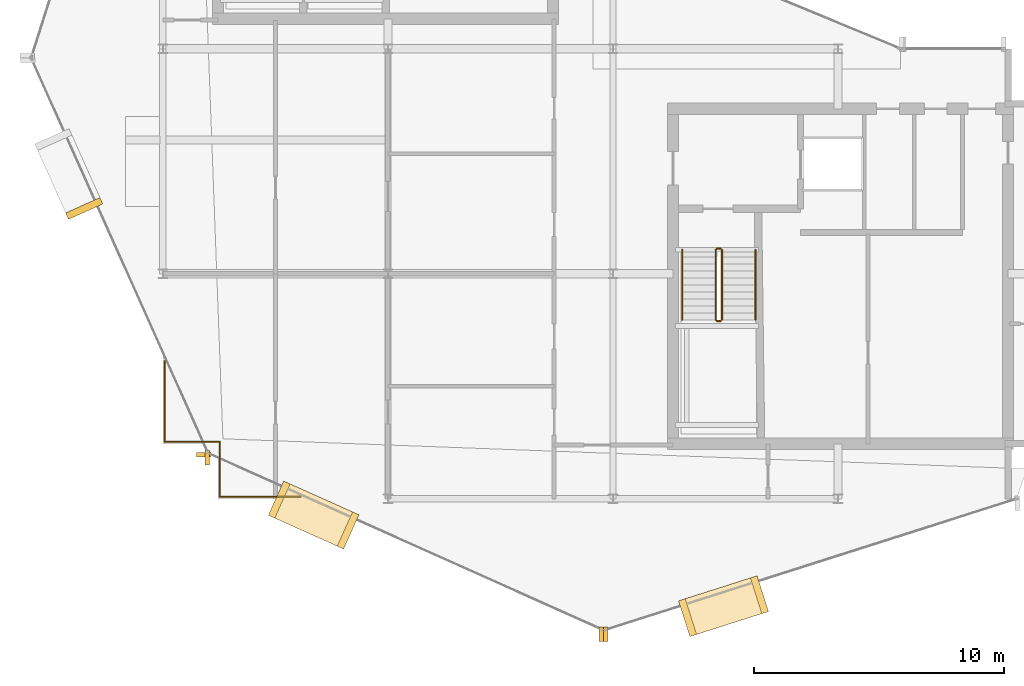
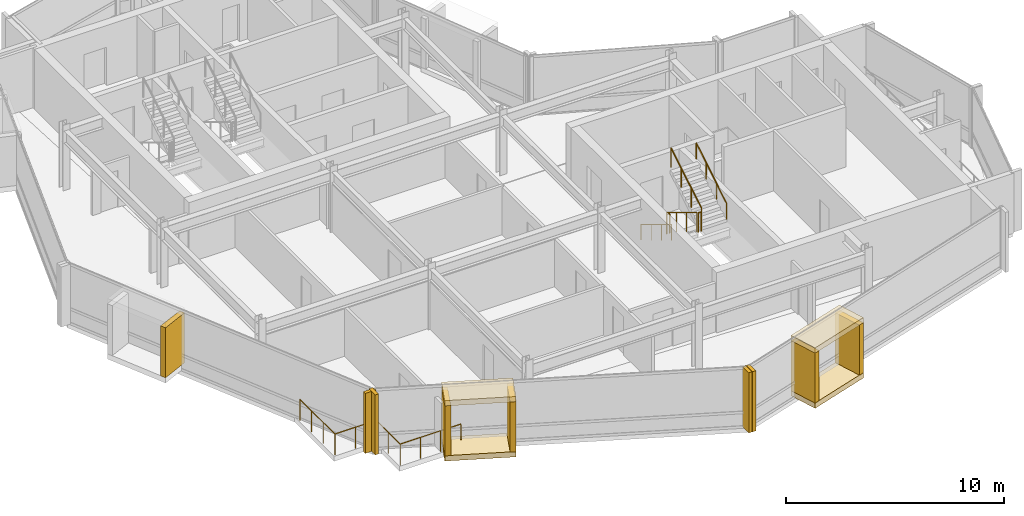
# One storey, part 16 of 19: 13 coverings, 10 railings.
"""IFC4 building model written with IfcOpenShell, lengths in metres."""

from ifc_helpers import new_model, si_unit, direction, frame, origin, origin_2d, place, context, subcontext, project, spatial, rectangle, circle, extrude, material, layer, layer_set, type_object, element, save


model = new_model("IFC4")

# Units and contexts
model_context = context("Model", 3, precision=1e-05, world=origin(), true_north=direction((0.0, 1.0)))
body_context = subcontext(model_context, "Body", "Model", "MODEL_VIEW")
ifc_project = project(units=[si_unit("LENGTHUNIT", "METRE"), si_unit("AREAUNIT", "SQUARE_METRE"), si_unit("VOLUMEUNIT", "CUBIC_METRE"), si_unit("PLANEANGLEUNIT", "RADIAN"), si_unit("MASSUNIT", "GRAM", prefix="KILO")], contexts=[model_context])

# Site, building, storey
site_placement = place(None, origin())
site = spatial("IfcSite", under=ifc_project, at=site_placement, CompositionType="ELEMENT")
building_placement = place(site_placement, origin())
building = spatial("IfcBuilding", under=site, at=building_placement, Name="Solvaryn Broadcast Tower", CompositionType="ELEMENT")
storey_placement = place(building_placement, frame((0.0, 0.0, 293.699951171875)))
storey = spatial("IfcBuildingStorey", under=building, at=storey_placement, Name="L74", CompositionType="ELEMENT", Elevation=293.699951171875)

# Coverings
ifc_material_1 = material(Name="Glazed Architectural Terracotta Rainscreen Cladding", Category="masonry")
ifc_layer_1 = layer(ifc_material_1, 0.280029296875)
ifc_layer_set_1 = layer_set([ifc_layer_1], Name="CV-TC-CLAD")
covering_type_1 = type_object("IfcCoveringType", Name="CV-TC-CLAD", PredefinedType="CLADDING", material=ifc_layer_set_1)
covering_1_placement = place(storey_placement, frame((5.852783203125, 20.61181640625, 0.280029296875), z_axis=(0.0, 0.0, 1.0), x_axis=(0.408489773781, -0.91276289622, 0.0)))
element("IfcCovering", 1, at=covering_1_placement, inside=storey, type_object=covering_type_1, Name="L74 Projecting Stone Window Box Cheek 2-2", PredefinedType="CLADDING", context=body_context, shape_type="SweptSolid", body=[
    extrude(rectangle(XDim=0.280029296875, YDim=1.5, at=origin_2d()), origin(), (0.0, 0.0, 1.0), 2.81005859375),
])
for number, where, z_axis, x_axis, name in (
    (2, (15.030029296875, 8.35107421875, 3.080078125), (0.0, 0.0, 1.0), (0.91276289622, -0.408489773781, 0.0), "L74 Projecting Stone Window Box Hood 3"),
    (3, (15.030029296875, 8.35107421875, -0.009765625), (0.0, 0.0, 1.0), (0.91276289622, -0.408489773781, 0.0), "L74 Projecting Stone Window Box Sill 3"),
):
    element("IfcCovering", number, at=place(storey_placement, frame(where, z_axis=z_axis, x_axis=x_axis)), inside=storey, type_object=covering_type_1, Name=name, PredefinedType="CLADDING", context=body_context, shape_type="SweptSolid", body=[
        extrude(rectangle(XDim=3.300048828125, YDim=1.5, at=origin_2d()), origin(), (0.0, 0.0, 1.0), 0.300048828125),
    ])
for number, where, z_axis, x_axis, name in (
    (4, (13.651611328125, 8.9677734375, 0.280029296875), (0.0, 0.0, 1.0), (0.91276289622, -0.408489773781, 0.0), "L74 Projecting Stone Window Box Cheek 3-1"),
    (5, (16.408203125, 7.734130859375, 0.280029296875), (0.0, 0.0, 1.0), (0.91276289622, -0.408489773781, 0.0), "L74 Projecting Stone Window Box Cheek 3-2"),
):
    element("IfcCovering", number, at=place(storey_placement, frame(where, z_axis=z_axis, x_axis=x_axis)), inside=storey, type_object=covering_type_1, Name=name, PredefinedType="CLADDING", context=body_context, shape_type="SweptSolid", body=[
        extrude(rectangle(XDim=0.280029296875, YDim=1.5, at=origin_2d()), origin(), (0.0, 0.0, 1.0), 2.81005859375),
    ])
for number, where, z_axis, x_axis, name in (
    (6, (31.4208984375, 4.7060546875, 3.080078125), (0.0, 0.0, 1.0), (0.952820541996, 0.303534206887, 0.0), "L74 Projecting Stone Window Box Hood 4"),
    (7, (31.4208984375, 4.7060546875, -0.009765625), (0.0, 0.0, 1.0), (0.952820541996, 0.303534206887, 0.0), "L74 Projecting Stone Window Box Sill 4"),
):
    element("IfcCovering", number, at=place(storey_placement, frame(where, z_axis=z_axis, x_axis=x_axis)), inside=storey, type_object=covering_type_1, Name=name, PredefinedType="CLADDING", context=body_context, shape_type="SweptSolid", body=[
        extrude(rectangle(XDim=3.300048828125, YDim=1.5, at=origin_2d()), origin(), (0.0, 0.0, 1.0), 0.300048828125),
    ])
for number, where, z_axis, x_axis, name in (
    (8, (29.982177734375, 4.247802734375, 0.280029296875), (0.0, 0.0, 1.0), (0.952820541996, 0.303534206887, 0.0), "L74 Projecting Stone Window Box Cheek 4-1"),
    (9, (32.85986328125, 5.164306640625, 0.280029296875), (0.0, 0.0, 1.0), (0.952820541996, 0.303534206887, 0.0), "L74 Projecting Stone Window Box Cheek 4-2"),
):
    element("IfcCovering", number, at=place(storey_placement, frame(where, z_axis=z_axis, x_axis=x_axis)), inside=storey, type_object=covering_type_1, Name=name, PredefinedType="CLADDING", context=body_context, shape_type="SweptSolid", body=[
        extrude(rectangle(XDim=0.280029296875, YDim=1.5, at=origin_2d()), origin(), (0.0, 0.0, 1.0), 2.81005859375),
    ])
ifc_material_2 = material(Name="Extruded Architectural Terracotta Fin", Category="masonry")
ifc_layer_2 = layer(ifc_material_2, 0.179931640625)
ifc_layer_set_2 = layer_set([ifc_layer_2], Name="CV-TC-FIN")
covering_type_2 = type_object("IfcCoveringType", Name="CV-TC-FIN", PredefinedType="USERDEFINED", material=ifc_layer_set_2)
covering_2_placement = place(storey_placement, frame((10.640380859375, 10.77099609375, 0.0), z_axis=(0.0, 0.0, 1.0), x_axis=(1.0, 0.0, 0.0)))
element("IfcCovering", 10, at=covering_2_placement, inside=storey, type_object=covering_type_2, Name="L74 Terracotta Vertical Fin FIN-L74-DR2-M01", ObjectType="FIN", PredefinedType="USERDEFINED", context=body_context, shape_type="SweptSolid", body=[
    extrude(rectangle(XDim=0.580078125, YDim=0.179931640625, at=origin_2d()), origin(), (0.0, 0.0, 1.0), 3.3701171875),
])
for number, where, z_axis, x_axis, name in (
    (11, (10.77099609375, 10.640380859375, 0.0), (0.0, 0.0, 1.0), (1.0, 0.0, 0.0), "L74 Terracotta Vertical Fin FIN-L74-DR3-M00"),
    (12, (26.53515625, 3.5859375, 0.0), (0.0, 0.0, 1.0), (1.0, 0.0, 0.0), "L74 Terracotta Vertical Fin FIN-L74-DR3-M01"),
    (13, (26.71923828125, 3.575439453125, 0.0), (0.0, 0.0, 1.0), (1.0, 0.0, 0.0), "L74 Terracotta Vertical Fin FIN-L74-DR4-M00"),
):
    element("IfcCovering", number, at=place(storey_placement, frame(where, z_axis=z_axis, x_axis=x_axis)), inside=storey, type_object=covering_type_2, Name=name, ObjectType="FIN", PredefinedType="USERDEFINED", context=body_context, shape_type="SweptSolid", body=[
        extrude(rectangle(XDim=0.179931640625, YDim=0.580078125, at=origin_2d()), origin(), (0.0, 0.0, 1.0), 3.3701171875),
    ])

# Railings
ifc_material_3 = material(Name="Stainless Steel and Laminated Glass Guard", Category="steel")
railing_type_1 = type_object("IfcRailingType", Name="RL-SKYG-1200", PredefinedType="BALUSTRADE", material=ifc_material_3)
railing_1_placement = place(storey_placement, frame((9.080078125, 14.5, 0.0)))
element("IfcRailing", 14, at=railing_1_placement, inside=storey, type_object=railing_type_1, Name="L74 Upper SW Corner Balustrade 1", PredefinedType="BALUSTRADE", context=body_context, shape_type="SweptSolid", body=[
    extrude(circle(Radius=0.02392578125, at=origin_2d()), frame((0.0, 0.0, 1.17578125), z_axis=(0.0, -1.0, 0.0), x_axis=(1.0, 0.0, 0.0)), (0.0, 0.0, 1.0), 3.219970703125),
    extrude(circle(Radius=0.02099609375, at=origin_2d()), origin(), (0.0, 0.0, 1.0), 1.15185546875),
    extrude(circle(Radius=0.02099609375, at=origin_2d()), frame((0.0, -1.0732421875, 0.0)), (0.0, 0.0, 1.0), 1.15185546875),
    extrude(circle(Radius=0.02099609375, at=origin_2d()), frame((0.0, -2.146728515625, 0.0)), (0.0, 0.0, 1.0), 1.15185546875),
    extrude(circle(Radius=0.02099609375, at=origin_2d()), frame((0.0, -3.219970703125, 0.0)), (0.0, 0.0, 1.0), 1.15185546875),
])
railing_2_placement = place(storey_placement, frame((9.080078125, 11.280029296875, 0.0)))
element("IfcRailing", 15, at=railing_2_placement, inside=storey, type_object=railing_type_1, Name="L74 Upper SW Corner Balustrade 2", PredefinedType="BALUSTRADE", context=body_context, shape_type="SweptSolid", body=[
    extrude(circle(Radius=0.02392578125, at=origin_2d()), frame((0.0, 0.0, 1.17578125), z_axis=(1.0, 0.0, 0.0), x_axis=(0.0, 1.0, 0.0)), (0.0, 0.0, 1.0), 2.199951171875),
    extrude(circle(Radius=0.02099609375, at=origin_2d()), origin(), (0.0, 0.0, 1.0), 1.15185546875),
    extrude(circle(Radius=0.02099609375, at=origin_2d()), frame((1.10009765625, 0.0, 0.0)), (0.0, 0.0, 1.0), 1.15185546875),
    extrude(circle(Radius=0.02099609375, at=origin_2d()), frame((2.199951171875, 0.0, 0.0)), (0.0, 0.0, 1.0), 1.15185546875),
])
railing_3_placement = place(storey_placement, frame((11.280029296875, 11.280029296875, 0.0)))
element("IfcRailing", 16, at=railing_3_placement, inside=storey, type_object=railing_type_1, Name="L74 Upper SW Corner Balustrade 3", PredefinedType="BALUSTRADE", context=body_context, shape_type="SweptSolid", body=[
    extrude(circle(Radius=0.02392578125, at=origin_2d()), frame((0.0, 0.0, 1.17578125), z_axis=(0.0, -1.0, 0.0), x_axis=(1.0, 0.0, 0.0)), (0.0, 0.0, 1.0), 2.199951171875),
    extrude(circle(Radius=0.02099609375, at=origin_2d()), origin(), (0.0, 0.0, 1.0), 1.15185546875),
    extrude(circle(Radius=0.02099609375, at=origin_2d()), frame((0.0, -1.10009765625, 0.0)), (0.0, 0.0, 1.0), 1.15185546875),
    extrude(circle(Radius=0.02099609375, at=origin_2d()), frame((0.0, -2.199951171875, 0.0)), (0.0, 0.0, 1.0), 1.15185546875),
])
railing_4_placement = place(storey_placement, frame((11.280029296875, 9.080078125, 0.0)))
element("IfcRailing", 17, at=railing_4_placement, inside=storey, type_object=railing_type_1, Name="L74 Upper SW Corner Balustrade 4", PredefinedType="BALUSTRADE", context=body_context, shape_type="SweptSolid", body=[
    extrude(circle(Radius=0.02392578125, at=origin_2d()), frame((0.0, 0.0, 1.17578125), z_axis=(1.0, 0.0, 0.0), x_axis=(0.0, 1.0, 0.0)), (0.0, 0.0, 1.0), 3.219970703125),
    extrude(circle(Radius=0.02099609375, at=origin_2d()), origin(), (0.0, 0.0, 1.0), 1.15185546875),
    extrude(circle(Radius=0.02099609375, at=origin_2d()), frame((1.0732421875, 0.0, 0.0)), (0.0, 0.0, 1.0), 1.15185546875),
    extrude(circle(Radius=0.02099609375, at=origin_2d()), frame((2.146728515625, 0.0, 0.0)), (0.0, 0.0, 1.0), 1.15185546875),
    extrude(circle(Radius=0.02099609375, at=origin_2d()), frame((3.219970703125, 0.0, 0.0)), (0.0, 0.0, 1.0), 1.15185546875),
])
ifc_material_4 = material(Name="Painted Steel Stair Well Guard", Category="steel")
railing_type_2 = type_object("IfcRailingType", Name="RL-STAIR-GUARD", PredefinedType="BALUSTRADE", material=ifc_material_4)
railing_5_placement = place(storey_placement, frame((31.110107421875, 18.9599609375, 0.168212890625)))
element("IfcRailing", 18, at=railing_5_placement, inside=storey, type_object=railing_type_2, Name="L74 ST3 stair guard 1", PredefinedType="BALUSTRADE", context=body_context, shape_type="SweptSolid", body=[
    extrude(circle(Radius=0.02392578125, at=origin_2d()), frame((0.0, 0.0, 1.076171875), z_axis=(0.0, -0.857242210791, 0.514913383045), x_axis=(1.0, 0.0, 0.0)), (0.0, 0.0, 1.0), 3.266357421875),
    extrude(circle(Radius=0.02099609375, at=origin_2d()), origin(), (0.0, 0.0, 1.0), 1.052001953125),
    extrude(circle(Radius=0.02099609375, at=origin_2d()), frame((0.0, -0.933349609375, 0.560546875)), (0.0, 0.0, 1.0), 1.052001953125),
    extrude(circle(Radius=0.02099609375, at=origin_2d()), frame((0.0, -1.86669921875, 1.121337890625)), (0.0, 0.0, 1.0), 1.052001953125),
    extrude(circle(Radius=0.02099609375, at=origin_2d()), frame((0.0, -2.800048828125, 1.681884765625)), (0.0, 0.0, 1.0), 1.052001953125),
])
railing_6_placement = place(storey_placement, frame((31.159912109375, 16.110107421875, 1.85009765625)))
element("IfcRailing", 19, at=railing_6_placement, inside=storey, type_object=railing_type_2, Name="L74 ST3 stair guard 2", PredefinedType="BALUSTRADE", context=body_context, shape_type="SweptSolid", body=[
    extrude(circle(Radius=0.02392578125, at=origin_2d()), frame((0.0, 0.0, 1.076171875), z_axis=(1.0, 0.0, 0.0), x_axis=(0.0, 1.0, 0.0)), (0.0, 0.0, 1.0), 0.150146484375),
    extrude(circle(Radius=0.02099609375, at=origin_2d()), origin(), (0.0, 0.0, 1.0), 1.052001953125),
    extrude(circle(Radius=0.02099609375, at=origin_2d()), frame((0.150146484375, 0.0, 0.0)), (0.0, 0.0, 1.0), 1.052001953125),
])
railing_7_placement = place(storey_placement, frame((31.360107421875, 16.159912109375, 2.018310546875)))
element("IfcRailing", 20, at=railing_7_placement, inside=storey, type_object=railing_type_2, Name="L74 ST3 stair guard 3", PredefinedType="BALUSTRADE", context=body_context, shape_type="SweptSolid", body=[
    extrude(circle(Radius=0.02392578125, at=origin_2d()), frame((0.0, 0.0, 1.076171875), z_axis=(0.0, 0.857275202839, 0.514858452973), x_axis=(-1.0, 0.0, 0.0)), (0.0, 0.0, 1.0), 3.26611328125),
    extrude(circle(Radius=0.02099609375, at=origin_2d()), origin(), (0.0, 0.0, 1.0), 1.052001953125),
    extrude(circle(Radius=0.02099609375, at=origin_2d()), frame((0.0, 0.933349609375, 0.560546875)), (0.0, 0.0, 1.0), 1.052001953125),
    extrude(circle(Radius=0.02099609375, at=origin_2d()), frame((0.0, 1.86669921875, 1.12109375)), (0.0, 0.0, 1.0), 1.052001953125),
    extrude(circle(Radius=0.02099609375, at=origin_2d()), frame((0.0, 2.800048828125, 1.681640625)), (0.0, 0.0, 1.0), 1.052001953125),
])
railing_8_placement = place(storey_placement, frame((31.159912109375, 19.010009765625, 0.0)))
element("IfcRailing", 21, at=railing_8_placement, inside=storey, type_object=railing_type_2, Name="L74 ST3 stair guard 4", PredefinedType="BALUSTRADE", context=body_context, shape_type="SweptSolid", body=[
    extrude(circle(Radius=0.02392578125, at=origin_2d()), frame((0.0, 0.0, 1.076171875), z_axis=(1.0, 0.0, 0.0), x_axis=(0.0, 1.0, 0.0)), (0.0, 0.0, 1.0), 0.150146484375),
    extrude(circle(Radius=0.02099609375, at=origin_2d()), origin(), (0.0, 0.0, 1.0), 1.052001953125),
    extrude(circle(Radius=0.02099609375, at=origin_2d()), frame((0.150146484375, 0.0, 0.0)), (0.0, 0.0, 1.0), 1.052001953125),
])
ifc_material_5 = material(Name="Brushed Stainless Steel Tubular Handrail", Category="steel")
railing_type_3 = type_object("IfcRailingType", Name="RL-STAIR-HANDRAIL", PredefinedType="HANDRAIL", material=ifc_material_5)
railing_9_placement = place(storey_placement, frame((29.77001953125, 18.9599609375, 0.168212890625)))
element("IfcRailing", 22, at=railing_9_placement, inside=storey, type_object=railing_type_3, Name="L74 ST3 stair handrail 1", PredefinedType="HANDRAIL", context=body_context, shape_type="SweptSolid", body=[
    extrude(circle(Radius=0.02392578125, at=origin_2d()), frame((0.0, 0.0, 0.8759765625), z_axis=(0.0, -0.857242210791, 0.514913383045), x_axis=(1.0, 0.0, 0.0)), (0.0, 0.0, 1.0), 3.266357421875),
    extrude(circle(Radius=0.02099609375, at=origin_2d()), origin(), (0.0, 0.0, 1.0), 0.851806640625),
    extrude(circle(Radius=0.02099609375, at=origin_2d()), frame((0.0, -0.933349609375, 0.560546875)), (0.0, 0.0, 1.0), 0.851806640625),
    extrude(circle(Radius=0.02099609375, at=origin_2d()), frame((0.0, -1.86669921875, 1.121337890625)), (0.0, 0.0, 1.0), 0.851806640625),
    extrude(circle(Radius=0.02099609375, at=origin_2d()), frame((0.0, -2.800048828125, 1.681884765625)), (0.0, 0.0, 1.0), 0.851806640625),
])
railing_10_placement = place(storey_placement, frame((32.699951171875, 16.159912109375, 2.018310546875)))
element("IfcRailing", 23, at=railing_10_placement, inside=storey, type_object=railing_type_3, Name="L74 ST3 stair handrail 2", PredefinedType="HANDRAIL", context=body_context, shape_type="SweptSolid", body=[
    extrude(circle(Radius=0.02392578125, at=origin_2d()), frame((0.0, 0.0, 0.8759765625), z_axis=(0.0, 0.857275202839, 0.514858452973), x_axis=(-1.0, 0.0, 0.0)), (0.0, 0.0, 1.0), 3.26611328125),
    extrude(circle(Radius=0.02099609375, at=origin_2d()), origin(), (0.0, 0.0, 1.0), 0.851806640625),
    extrude(circle(Radius=0.02099609375, at=origin_2d()), frame((0.0, 0.933349609375, 0.560546875)), (0.0, 0.0, 1.0), 0.851806640625),
    extrude(circle(Radius=0.02099609375, at=origin_2d()), frame((0.0, 1.86669921875, 1.12109375)), (0.0, 0.0, 1.0), 0.851806640625),
    extrude(circle(Radius=0.02099609375, at=origin_2d()), frame((0.0, 2.800048828125, 1.681640625)), (0.0, 0.0, 1.0), 0.851806640625),
])

save(model, "model.ifc")
